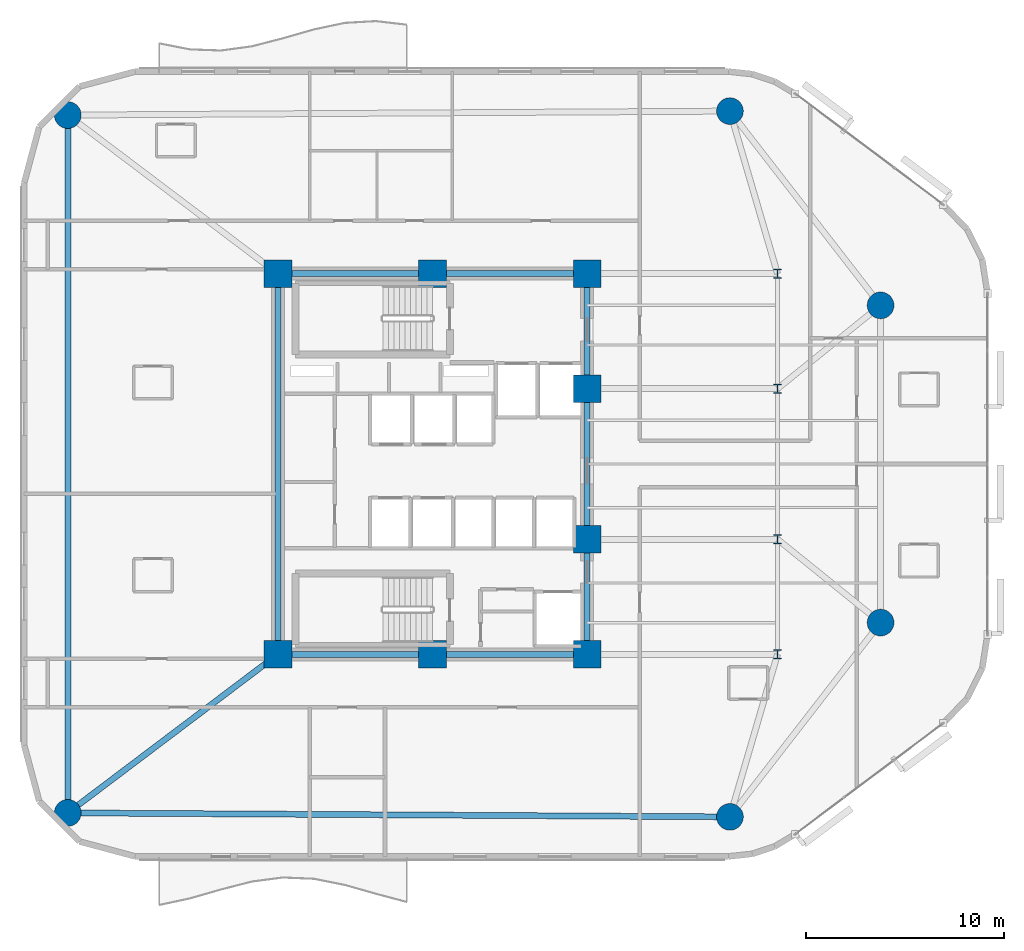
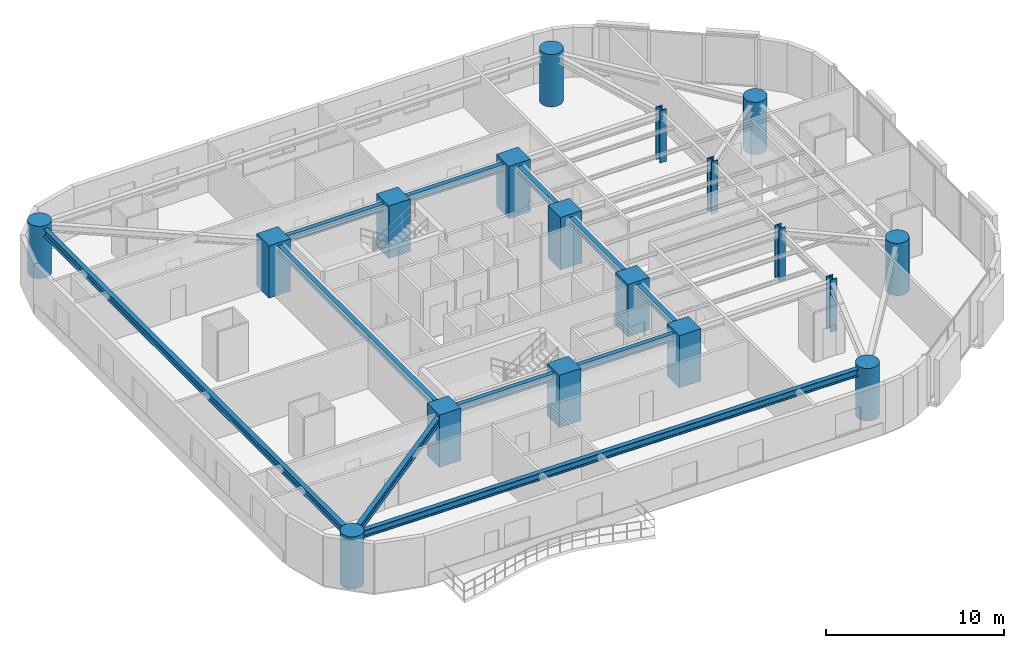
# One storey, part 1 of 16: 18 columns, 9 beams.
"""IFC4 building model written with IfcOpenShell, lengths in metres."""

from ifc_helpers import new_model, si_unit, direction, frame, origin, origin_2d, place, context, subcontext, project, spatial, rectangle, circle, i_section, extrude, material, material_profile, profile_set, type_object, element, save


model = new_model("IFC4")

# Units and contexts
model_context = context("Model", 3, precision=1e-05, world=origin(), true_north=direction((0.0, 1.0)))
body_context = subcontext(model_context, "Body", "Model", "MODEL_VIEW")
ifc_project = project(units=[si_unit("LENGTHUNIT", "METRE"), si_unit("AREAUNIT", "SQUARE_METRE"), si_unit("VOLUMEUNIT", "CUBIC_METRE"), si_unit("PLANEANGLEUNIT", "RADIAN"), si_unit("MASSUNIT", "GRAM", prefix="KILO")], contexts=[model_context])

# Site, building, storey
site_placement = place(None, origin())
site = spatial("IfcSite", under=ifc_project, at=site_placement, CompositionType="ELEMENT")
building_placement = place(site_placement, origin())
building = spatial("IfcBuilding", under=site, at=building_placement, Name="An Khanh Terracotta Commons", CompositionType="ELEMENT")
storey_placement = place(building_placement, frame((0.0, 0.0, 100.699951171875)))
storey = spatial("IfcBuildingStorey", under=building, at=storey_placement, Name="L26", CompositionType="ELEMENT", Elevation=100.699951171875)

# Columns
ifc_material_1 = material(Name="Concrete C70/85", Category="concrete")
ifc_material_profile_1 = material_profile(ifc_material_1, circle(Radius=0.675048828125, at=origin_2d()), Name="CFST1350")
ifc_profile_set_1 = profile_set([ifc_material_profile_1], Name="Concrete C70/85")
column_type_1 = type_object("IfcColumnType", Name="COL-CFST1350", PredefinedType="COLUMN", material=ifc_profile_set_1)
for number, where, z_axis, x_axis, name in (
    (1, (11.0, 6.39990234375, 0.0), (0.0, 0.0, 1.0), (1.0, 0.0, 0.0), "L26 Perimeter CFST Mega-Column MC-01"),
    (2, (44.39990234375, 6.199951171875, 0.0), (0.0, 0.0, 1.0), (1.0, 0.0, 0.0), "L26 Perimeter CFST Mega-Column MC-02"),
    (3, (52.0, 16.0, 0.0), (0.0, 0.0, 1.0), (1.0, 0.0, 0.0), "L26 Perimeter CFST Mega-Column MC-03"),
    (4, (52.0, 32.0, 0.0), (0.0, 0.0, 1.0), (1.0, 0.0, 0.0), "L26 Perimeter CFST Mega-Column MC-04"),
    (5, (44.39990234375, 41.800048828125, 0.0), (0.0, 0.0, 1.0), (1.0, 0.0, 0.0), "L26 Perimeter CFST Mega-Column MC-05"),
    (6, (11.0, 41.60009765625, 0.0), (0.0, 0.0, 1.0), (1.0, 0.0, 0.0), "L26 Perimeter CFST Mega-Column MC-06"),
):
    element("IfcColumn", number, at=place(storey_placement, frame(where, z_axis=z_axis, x_axis=x_axis)), inside=storey, type_object=column_type_1, Name=name, PredefinedType="COLUMN", context=body_context, shape_type="SweptSolid", body=[
        extrude(circle(Radius=0.675048828125, at=origin_2d()), origin(), (0.0, 0.0, 1.0), 3.60009765625),
    ])
ifc_material_2 = material(Name="Steel S460ML", Category="steel")
ifc_material_profile_2 = material_profile(ifc_material_2, i_section(OverallWidth=0.4169921875, OverallDepth=0.47705078125, WebThickness=0.035888671875, FlangeThickness=0.057373046875, FilletRadius=0.014892578125, at=origin_2d()), Name="HD400x463")
ifc_profile_set_2 = profile_set([ifc_material_profile_2], Name="Steel S460ML")
column_type_2 = type_object("IfcColumnType", Name="COL-HD400x463", PredefinedType="COLUMN", material=ifc_profile_set_2)
for number, where, z_axis, x_axis, name in (
    (7, (46.800048828125, 14.39990234375, 0.0), (0.0, 0.0, 1.0), (1.0, 0.0, 0.0), "L26 Interior Frame Column TC-01"),
    (8, (46.800048828125, 20.199951171875, 0.0), (0.0, 0.0, 1.0), (1.0, 0.0, 0.0), "L26 Interior Frame Column TC-02"),
    (9, (46.800048828125, 27.800048828125, 0.0), (0.0, 0.0, 1.0), (1.0, 0.0, 0.0), "L26 Interior Frame Column TC-03"),
    (10, (46.800048828125, 33.60009765625, 0.0), (0.0, 0.0, 1.0), (1.0, 0.0, 0.0), "L26 Interior Frame Column TC-04"),
):
    element("IfcColumn", number, at=place(storey_placement, frame(where, z_axis=z_axis, x_axis=x_axis)), inside=storey, type_object=column_type_2, Name=name, PredefinedType="COLUMN", context=body_context, shape_type="SweptSolid", body=[
        extrude(i_section(OverallWidth=0.4169921875, OverallDepth=0.47705078125, WebThickness=0.035888671875, FlangeThickness=0.057373046875, FilletRadius=0.014892578125, at=origin_2d()), origin(), (0.0, 0.0, 1.0), 3.60009765625),
    ])
ifc_material_profile_3 = material_profile(ifc_material_1, rectangle(XDim=1.39990234375, YDim=1.39990234375, at=origin_2d()), Name="RC1400x1400")
ifc_profile_set_3 = profile_set([ifc_material_profile_3], Name="Concrete C70/85")
column_type_3 = type_object("IfcColumnType", Name="COL-RC1400x1400", PredefinedType="COLUMN", material=ifc_profile_set_3)
for number, where, z_axis, x_axis, name in (
    (11, (21.60009765625, 14.39990234375, 0.0), (0.0, 0.0, 1.0), (1.0, 0.0, 0.0), "L26 Core Boundary Column CC-01"),
    (12, (29.39990234375, 14.39990234375, 0.0), (0.0, 0.0, 1.0), (1.0, 0.0, 0.0), "L26 Core Boundary Column CC-02"),
    (13, (37.199951171875, 14.39990234375, 0.0), (0.0, 0.0, 1.0), (1.0, 0.0, 0.0), "L26 Core Boundary Column CC-03"),
    (14, (37.199951171875, 20.199951171875, 0.0), (0.0, 0.0, 1.0), (1.0, 0.0, 0.0), "L26 Core Boundary Column CC-04"),
    (15, (37.199951171875, 27.800048828125, 0.0), (0.0, 0.0, 1.0), (1.0, 0.0, 0.0), "L26 Core Boundary Column CC-05"),
    (16, (37.199951171875, 33.60009765625, 0.0), (0.0, 0.0, 1.0), (1.0, 0.0, 0.0), "L26 Core Boundary Column CC-06"),
    (17, (29.39990234375, 33.60009765625, 0.0), (0.0, 0.0, 1.0), (1.0, 0.0, 0.0), "L26 Core Boundary Column CC-07"),
    (18, (21.60009765625, 33.60009765625, 0.0), (0.0, 0.0, 1.0), (1.0, 0.0, 0.0), "L26 Core Boundary Column CC-08"),
):
    element("IfcColumn", number, at=place(storey_placement, frame(where, z_axis=z_axis, x_axis=x_axis)), inside=storey, type_object=column_type_3, Name=name, PredefinedType="COLUMN", context=body_context, shape_type="SweptSolid", body=[
        extrude(rectangle(XDim=1.39990234375, YDim=1.39990234375, at=origin_2d()), origin(), (0.0, 0.0, 1.0), 3.60009765625),
    ])

# Beams
ifc_material_3 = material(Name="Steel S355J2", Category="steel")
ifc_material_profile_4 = material_profile(ifc_material_3, i_section(OverallWidth=0.300048828125, OverallDepth=0.449951171875, WebThickness=0.013916015625, FlangeThickness=0.02587890625, FilletRadius=0.027099609375, at=origin_2d()), Name="HEB450")
ifc_profile_set_4 = profile_set([ifc_material_profile_4], Name="Steel S355J2")
beam_type_1 = type_object("IfcBeamType", Name="BM-HEB450", PredefinedType="BEAM", material=ifc_profile_set_4)
beam_1_placement = place(storey_placement, frame((37.199951171875, 14.39990234375, 3.175048828125), z_axis=(0.0, 1.0, 0.0), x_axis=(-1.0, 0.0, 0.0)))
element("IfcBeam", 19, at=beam_1_placement, inside=storey, type_object=beam_type_1, Name="L26 Core East Coupling Girder 1", PredefinedType="BEAM", context=body_context, shape_type="SweptSolid", body=[
    extrude(i_section(OverallWidth=0.300048828125, OverallDepth=0.449951171875, WebThickness=0.013916015625, FlangeThickness=0.02587890625, FilletRadius=0.027099609375, at=origin_2d()), origin(), (0.0, 0.0, 1.0), 5.800048828125),
])
beam_2_placement = place(storey_placement, frame((37.199951171875, 20.199951171875, 3.175048828125), z_axis=(0.0, 1.0, 0.0), x_axis=(-1.0, 0.0, 0.0)))
element("IfcBeam", 20, at=beam_2_placement, inside=storey, type_object=beam_type_1, Name="L26 Core East Coupling Girder 2", PredefinedType="BEAM", context=body_context, shape_type="SweptSolid", body=[
    extrude(i_section(OverallWidth=0.300048828125, OverallDepth=0.449951171875, WebThickness=0.013916015625, FlangeThickness=0.02587890625, FilletRadius=0.027099609375, at=origin_2d()), origin(), (0.0, 0.0, 1.0), 7.60009765625),
])
beam_3_placement = place(storey_placement, frame((37.199951171875, 27.800048828125, 3.175048828125), z_axis=(0.0, 1.0, 0.0), x_axis=(-1.0, 0.0, 0.0)))
element("IfcBeam", 21, at=beam_3_placement, inside=storey, type_object=beam_type_1, Name="L26 Core East Coupling Girder 3", PredefinedType="BEAM", context=body_context, shape_type="SweptSolid", body=[
    extrude(i_section(OverallWidth=0.300048828125, OverallDepth=0.449951171875, WebThickness=0.013916015625, FlangeThickness=0.02587890625, FilletRadius=0.027099609375, at=origin_2d()), origin(), (0.0, 0.0, 1.0), 5.800048828125),
])
beam_4_placement = place(storey_placement, frame((21.60009765625, 14.39990234375, 3.175048828125), z_axis=(0.0, 1.0, 0.0), x_axis=(-1.0, 0.0, 0.0)))
element("IfcBeam", 22, at=beam_4_placement, inside=storey, type_object=beam_type_1, Name="L26 Core West Coupling Girder", PredefinedType="BEAM", context=body_context, shape_type="SweptSolid", body=[
    extrude(i_section(OverallWidth=0.300048828125, OverallDepth=0.449951171875, WebThickness=0.013916015625, FlangeThickness=0.02587890625, FilletRadius=0.027099609375, at=origin_2d()), origin(), (0.0, 0.0, 1.0), 19.2001953125),
])
ifc_material_profile_5 = material_profile(ifc_material_3, i_section(OverallWidth=0.300048828125, OverallDepth=0.5, WebThickness=0.014404296875, FlangeThickness=0.028076171875, FilletRadius=0.027099609375, at=origin_2d()), Name="HEB500")
ifc_profile_set_5 = profile_set([ifc_material_profile_5], Name="Steel S355J2")
beam_type_2 = type_object("IfcBeamType", Name="BM-HEB500", PredefinedType="BEAM", material=ifc_profile_set_5)
for number, where, z_axis, x_axis, name in (
    (23, (21.60009765625, 14.39990234375, 3.150146484375), (1.0, 0.0, 0.0), (0.0, 1.0, 0.0), "L26 Core South Coupling Girder"),
    (24, (21.60009765625, 33.60009765625, 3.150146484375), (1.0, 0.0, 0.0), (0.0, 1.0, 0.0), "L26 Core North Coupling Girder"),
):
    element("IfcBeam", number, at=place(storey_placement, frame(where, z_axis=z_axis, x_axis=x_axis)), inside=storey, type_object=beam_type_2, Name=name, PredefinedType="BEAM", context=body_context, shape_type="SweptSolid", body=[
        extrude(i_section(OverallWidth=0.300048828125, OverallDepth=0.5, WebThickness=0.014404296875, FlangeThickness=0.028076171875, FilletRadius=0.027099609375, at=origin_2d()), origin(), (0.0, 0.0, 1.0), 15.599853515625),
    ])
beam_5_placement = place(storey_placement, frame((11.0, 6.39990234375, 3.150146484375), z_axis=(0.999982080914, -0.005986472262, 0.0), x_axis=(0.005986472262, 0.999982080914, 0.0)))
element("IfcBeam", 25, at=beam_5_placement, inside=storey, type_object=beam_type_2, Name="L26 Perimeter Ring Spandrel 1", PredefinedType="BEAM", context=body_context, shape_type="SweptSolid", body=[
    extrude(i_section(OverallWidth=0.300048828125, OverallDepth=0.5, WebThickness=0.014404296875, FlangeThickness=0.028076171875, FilletRadius=0.027099609375, at=origin_2d()), origin(), (0.0, 0.0, 1.0), 33.400390625),
])
beam_6_placement = place(storey_placement, frame((11.0, 41.60009765625, 3.150146484375), z_axis=(0.0, -1.0, 0.0), x_axis=(1.0, 0.0, 0.0)))
element("IfcBeam", 26, at=beam_6_placement, inside=storey, type_object=beam_type_2, Name="L26 Perimeter Ring Spandrel 6", PredefinedType="BEAM", context=body_context, shape_type="SweptSolid", body=[
    extrude(i_section(OverallWidth=0.300048828125, OverallDepth=0.5, WebThickness=0.014404296875, FlangeThickness=0.028076171875, FilletRadius=0.027099609375, at=origin_2d()), origin(), (0.0, 0.0, 1.0), 35.2001953125),
])
beam_7_placement = place(storey_placement, frame((11.0, 6.39990234375, 3.150146484375), z_axis=(0.798191818888, 0.602403370061, 0.0), x_axis=(-0.602403370061, 0.798191818888, 0.0)))
element("IfcBeam", 27, at=beam_7_placement, inside=storey, type_object=beam_type_2, Name="L26 Mega-Column Tie Girder 1", PredefinedType="BEAM", context=body_context, shape_type="SweptSolid", body=[
    extrude(i_section(OverallWidth=0.300048828125, OverallDepth=0.5, WebThickness=0.014404296875, FlangeThickness=0.028076171875, FilletRadius=0.027099609375, at=origin_2d()), origin(), (0.0, 0.0, 1.0), 13.280029296875),
])

save(model, "model.ifc")
